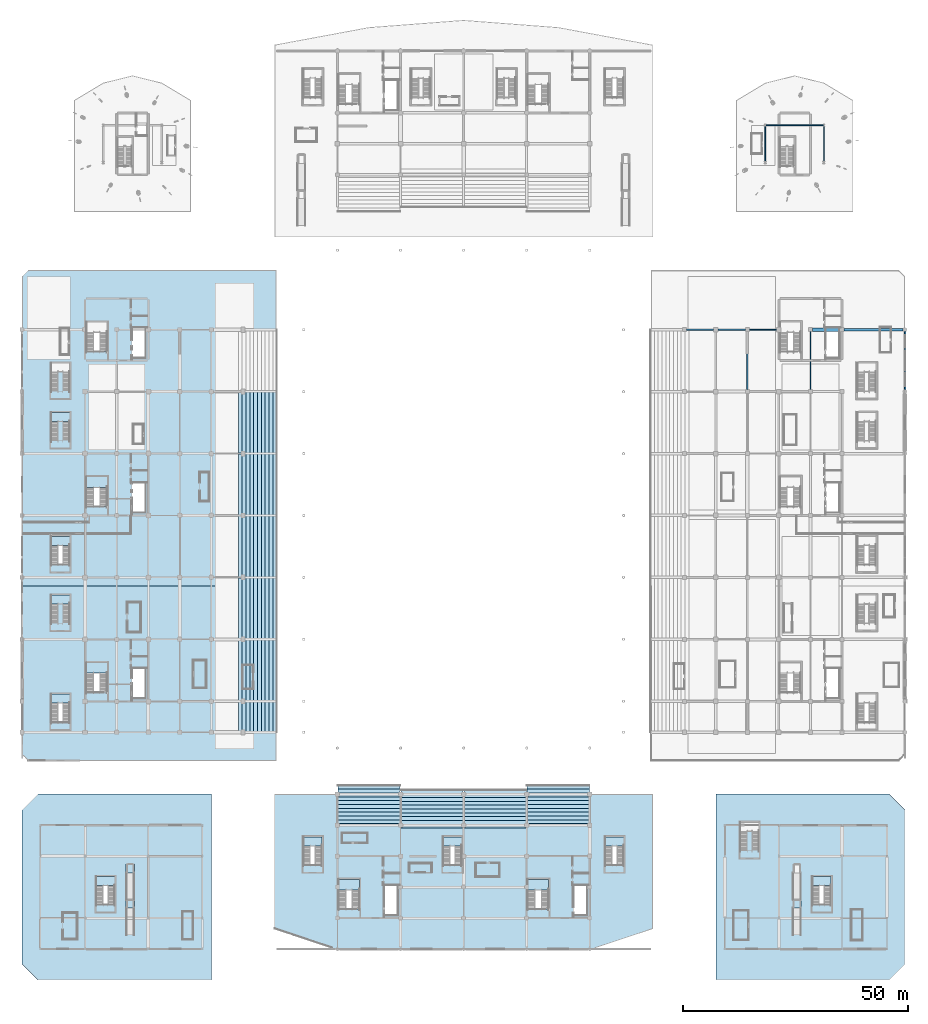
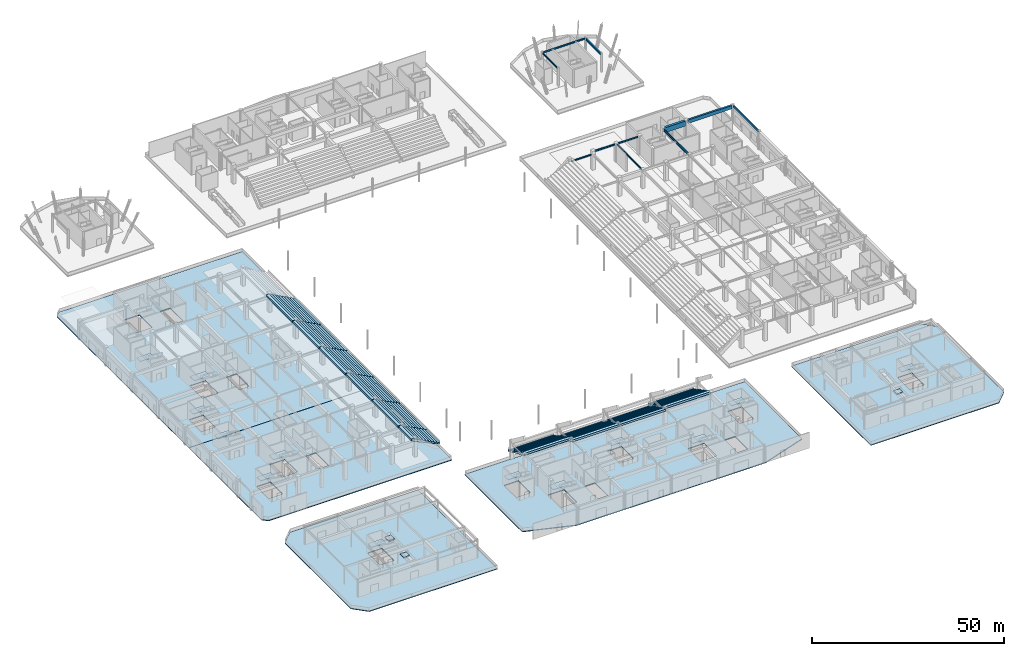
# One storey, part 26 of 73: 31 slabs, 11 beams, 15 elements without a shape of their own.
"""IFC4 building model written with IfcOpenShell, lengths in metres."""

from ifc_helpers import new_model, si_unit, direction, frame, origin, origin_2d, place, context, subcontext, project, spatial, polyline, rectangle, i_section, outline, extrude, material, layer, layer_set, material_profile, profile_set, type_object, element, aggregate, save


model = new_model("IFC4")

# Units and contexts
model_context = context("Model", 3, precision=1e-05, world=origin(), true_north=direction((0.0, 1.0)))
body_context = subcontext(model_context, "Body", "Model", "MODEL_VIEW")
ifc_project = project(units=[si_unit("LENGTHUNIT", "METRE"), si_unit("AREAUNIT", "SQUARE_METRE"), si_unit("VOLUMEUNIT", "CUBIC_METRE"), si_unit("PLANEANGLEUNIT", "RADIAN"), si_unit("MASSUNIT", "GRAM", prefix="KILO")], contexts=[model_context])

# Site, building, storey
site_placement = place(None, origin())
site = spatial("IfcSite", under=ifc_project, at=site_placement, CompositionType="ELEMENT")
building_placement = place(site_placement, origin())
building = spatial("IfcBuilding", under=site, at=building_placement, Name="Linyun Crest Stadium", CompositionType="ELEMENT")
storey_placement = place(building_placement, origin())
storey = spatial("IfcBuildingStorey", under=building, at=storey_placement, Name="L01", CompositionType="ELEMENT", Elevation=0.0)

# Beams
ifc_material_1 = material(Name="Concrete C40", Category="concrete")
ifc_material_profile_1 = material_profile(ifc_material_1, rectangle(XDim=0.35009765625, YDim=0.64990234375, at=origin_2d()), Name="RCB 650x350")
ifc_profile_set_1 = profile_set([ifc_material_profile_1], Name="Concrete C40")
beam_type_1 = type_object("IfcBeamType", Name="B02", PredefinedType="BEAM", material=ifc_profile_set_1)
beam_1_placement = place(storey_placement, frame((98.0, 30.074951171875, 5.425048828125), z_axis=(0.0, 1.0, 0.0), x_axis=(-1.0, 0.0, 0.0)))
element("IfcBeam", 1, at=beam_1_placement, inside=storey, type_object=beam_type_1, Name="Frame beam B02 L01 547", PredefinedType="BEAM", context=body_context, shape_type="SweptSolid", body=[
    extrude(rectangle(XDim=0.35009765625, YDim=0.64990234375, at=origin_2d()), origin(), (0.0, 0.0, 1.0), 12.85009765625),
])
ifc_material_2 = material(Name="Steel Q355C", Category="steel")
ifc_material_profile_2 = material_profile(ifc_material_2, i_section(OverallWidth=0.300048828125, OverallDepth=0.389892578125, WebThickness=0.010009765625, FlangeThickness=0.01611328125, at=origin_2d()), Name="HM 390x300")
ifc_profile_set_2 = profile_set([ifc_material_profile_2], Name="Steel Q355C")
beam_type_2 = type_object("IfcBeamType", Name="B06", PredefinedType="BEAM", material=ifc_profile_set_2)
beam_2_placement = place(storey_placement, frame((49.449951171875, 43.375, 4.705078125), z_axis=(1.0, 0.0, 0.0), x_axis=(0.0, 1.0, 0.0)))
element("IfcBeam", 2, at=beam_2_placement, inside=storey, type_object=beam_type_2, Name="Frame beam B06 L01 507", PredefinedType="BEAM", context=body_context, shape_type="SweptSolid", body=[
    extrude(i_section(OverallWidth=0.300048828125, OverallDepth=0.389892578125, WebThickness=0.010009765625, FlangeThickness=0.01611328125, at=origin_2d()), origin(), (0.0, 0.0, 1.0), 6.050048828125),
])
ifc_material_3 = material(Name="Steel Q355C", Category="steel")
ifc_material_profile_3 = material_profile(ifc_material_3, i_section(OverallWidth=0.300048828125, OverallDepth=0.43994140625, WebThickness=0.010986328125, FlangeThickness=0.01806640625, at=origin_2d()), Name="HM 440x300")
ifc_profile_set_3 = profile_set([ifc_material_profile_3], Name="Steel Q355C")
beam_type_3 = type_object("IfcBeamType", Name="B07", PredefinedType="BEAM", material=ifc_profile_set_3)
beam_3_placement = place(storey_placement, frame((63.0, 30.074951171875, 5.530029296875), z_axis=(0.0, 1.0, 0.0), x_axis=(-1.0, 0.0, 0.0)))
element("IfcBeam", 3, at=beam_3_placement, inside=storey, type_object=beam_type_3, Name="Frame beam B07 L01 525", PredefinedType="BEAM", context=body_context, shape_type="SweptSolid", body=[
    extrude(i_section(OverallWidth=0.300048828125, OverallDepth=0.43994140625, WebThickness=0.010986328125, FlangeThickness=0.01806640625, at=origin_2d()), origin(), (0.0, 0.0, 1.0), 12.85009765625),
])
ifc_material_4 = material(Name="Steel Q355C", Category="steel")
ifc_material_profile_4 = material_profile(ifc_material_4, i_section(OverallWidth=0.300048828125, OverallDepth=0.488037109375, WebThickness=0.010986328125, FlangeThickness=0.01806640625, at=origin_2d()), Name="HM 488x300")
ifc_profile_set_4 = profile_set([ifc_material_profile_4], Name="Steel Q355C")
beam_type_4 = type_object("IfcBeamType", Name="B08", PredefinedType="BEAM", material=ifc_profile_set_4)
beam_4_placement = place(storey_placement, frame((56.5, 43.375, 5.506103515625), z_axis=(1.0, 0.0, 0.0), x_axis=(0.0, 1.0, 0.0)))
element("IfcBeam", 4, at=beam_4_placement, inside=storey, type_object=beam_type_4, Name="Frame beam B08 L01 508", PredefinedType="BEAM", context=body_context, shape_type="SweptSolid", body=[
    extrude(i_section(OverallWidth=0.300048828125, OverallDepth=0.488037109375, WebThickness=0.010986328125, FlangeThickness=0.01806640625, at=origin_2d()), origin(), (0.0, 0.0, 1.0), 6.050048828125),
])
ifc_material_5 = material(Name="Steel Q355C", Category="steel")
ifc_material_profile_5 = material_profile(ifc_material_5, i_section(OverallWidth=0.199951171875, OverallDepth=0.5, WebThickness=0.010009765625, FlangeThickness=0.01611328125, at=origin_2d()), Name="HN 500x200")
ifc_profile_set_5 = profile_set([ifc_material_profile_5], Name="Steel Q355C")
beam_type_5 = type_object("IfcBeamType", Name="B10", PredefinedType="BEAM", material=ifc_profile_set_5)
beam_5_placement = place(storey_placement, frame((63.449951171875, 43.375, 5.5), z_axis=(1.0, 0.0, 0.0), x_axis=(0.0, 1.0, 0.0)))
element("IfcBeam", 5, at=beam_5_placement, inside=storey, type_object=beam_type_5, Name="Frame beam B10 L01 509", PredefinedType="BEAM", context=body_context, shape_type="SweptSolid", body=[
    extrude(i_section(OverallWidth=0.199951171875, OverallDepth=0.5, WebThickness=0.010009765625, FlangeThickness=0.01611328125, at=origin_2d()), origin(), (0.0, 0.0, 1.0), 6.050048828125),
])
beam_6_placement = place(storey_placement, frame((67.2041015625, 88.75, 5.530029296875), z_axis=(1.0, 0.0, 0.0), x_axis=(0.0, 1.0, 0.0)))
element("IfcBeam", 6, at=beam_6_placement, inside=storey, type_object=beam_type_5, Name="Frame beam B10 L01 954", PredefinedType="BEAM", context=body_context, shape_type="SweptSolid", body=[
    extrude(i_section(OverallWidth=0.199951171875, OverallDepth=0.5, WebThickness=0.010009765625, FlangeThickness=0.01611328125, at=origin_2d()), origin(), (0.0, 0.0, 1.0), 12.591796875),
])
ifc_material_6 = material(Name="Steel Q355C", Category="steel")
ifc_material_profile_6 = material_profile(ifc_material_6, i_section(OverallWidth=0.199951171875, OverallDepth=0.60009765625, WebThickness=0.010986328125, FlangeThickness=0.01708984375, at=origin_2d()), Name="HN 600x200")
ifc_profile_set_6 = profile_set([ifc_material_profile_6], Name="Steel Q355C")
beam_type_6 = type_object("IfcBeamType", Name="B11", PredefinedType="BEAM", material=ifc_profile_set_6)
beam_7_placement = place(storey_placement, frame((67.0, 80.7490234375, 5.47998046875), z_axis=(0.0, 1.0, 0.0), x_axis=(-1.0, 0.0, 0.0)))
element("IfcBeam", 7, at=beam_7_placement, inside=storey, type_object=beam_type_6, Name="Frame beam B11 L01 957", PredefinedType="BEAM", context=body_context, shape_type="SweptSolid", body=[
    extrude(i_section(OverallWidth=0.199951171875, OverallDepth=0.60009765625, WebThickness=0.010986328125, FlangeThickness=0.01708984375, at=origin_2d()), origin(), (0.0, 0.0, 1.0), 7.786865234375),
])
ifc_material_7 = material(Name="Steel Q355C", Category="steel")
ifc_material_profile_7 = material_profile(ifc_material_7, i_section(OverallWidth=0.300048828125, OverallDepth=0.699951171875, WebThickness=0.012939453125, FlangeThickness=0.02392578125, at=origin_2d()), Name="HN 700x300")
ifc_profile_set_7 = profile_set([ifc_material_profile_7], Name="Steel Q355C")
beam_type_7 = type_object("IfcBeamType", Name="B12", PredefinedType="BEAM", material=ifc_profile_set_7)
beam_8_placement = place(storey_placement, frame((77.0, 30.074951171875, 5.39990234375), z_axis=(0.0, 1.0, 0.0), x_axis=(-1.0, 0.0, 0.0)))
element("IfcBeam", 8, at=beam_8_placement, inside=storey, type_object=beam_type_7, Name="Frame beam B12 L01 536", PredefinedType="BEAM", context=body_context, shape_type="SweptSolid", body=[
    extrude(i_section(OverallWidth=0.300048828125, OverallDepth=0.699951171875, WebThickness=0.012939453125, FlangeThickness=0.02392578125, at=origin_2d()), origin(), (0.0, 0.0, 1.0), 12.85009765625),
])
beam_9_placement = place(storey_placement, frame((80.0, 80.7490234375, 5.429931640625), z_axis=(0.0, 1.0, 0.0), x_axis=(-1.0, 0.0, 0.0)))
element("IfcBeam", 9, at=beam_9_placement, inside=storey, type_object=beam_type_7, Name="Frame beam B12 L01 958", PredefinedType="BEAM", context=body_context, shape_type="SweptSolid", body=[
    extrude(i_section(OverallWidth=0.300048828125, OverallDepth=0.699951171875, WebThickness=0.012939453125, FlangeThickness=0.02392578125, at=origin_2d()), origin(), (0.0, 0.0, 1.0), 7.786865234375),
])
ifc_material_8 = material(Name="Concrete C50", Category="concrete")
ifc_material_profile_8 = material_profile(ifc_material_8, rectangle(XDim=0.699951171875, YDim=1.60009765625, at=origin_2d()), Name="RCB 1600x700")
ifc_profile_set_8 = profile_set([ifc_material_profile_8], Name="Concrete C50")
beam_type_8 = type_object("IfcBeamType", Name="B13", PredefinedType="BEAM", material=ifc_profile_set_8)
beam_10_placement = place(storey_placement, frame((77.449951171875, 43.375, 4.949951171875), z_axis=(1.0, 0.0, 0.0), x_axis=(0.0, 1.0, 0.0)))
element("IfcBeam", 10, at=beam_10_placement, inside=storey, type_object=beam_type_8, Name="Frame beam B13 L01 510", PredefinedType="BEAM", context=body_context, shape_type="SweptSolid", body=[
    extrude(rectangle(XDim=0.699951171875, YDim=1.60009765625, at=origin_2d()), origin(), (0.0, 0.0, 1.0), 6.10009765625),
])
ifc_material_9 = material(Name="Concrete C50", Category="concrete")
ifc_material_profile_9 = material_profile(ifc_material_9, rectangle(XDim=0.550048828125, YDim=1.10009765625, at=origin_2d()), Name="RCB 1100x550")
ifc_profile_set_9 = profile_set([ifc_material_profile_9], Name="Concrete C50")
beam_type_9 = type_object("IfcBeamType", Name="TB01", PredefinedType="USERDEFINED", material=ifc_profile_set_9)
beam_11_placement = place(storey_placement, frame((84.449951171875, 43.375, 5.199951171875), z_axis=(1.0, 0.0, 0.0), x_axis=(0.0, 1.0, 0.0)))
element("IfcBeam", 11, at=beam_11_placement, inside=storey, type_object=beam_type_9, Name="Frame beam TB01 L01 511", ObjectType="GIRDER", PredefinedType="USERDEFINED", context=body_context, shape_type="SweptSolid", body=[
    extrude(rectangle(XDim=0.550048828125, YDim=1.10009765625, at=origin_2d()), origin(), (0.0, 0.0, 1.0), 13.10009765625),
])

# Slabs
ifc_material_10 = material(Name="Concrete C40", Category="concrete")
ifc_layer_1 = layer(ifc_material_10, 0.219970703125)
ifc_layer_set_1 = layer_set([ifc_layer_1], Name="Concrete C40")
slab_type_1 = type_object("IfcSlabType", Name="FS03", PredefinedType="FLOOR", material=ifc_layer_set_1)
slab_1_placement = place(storey_placement, frame((0.0, 0.0, -0.219970703125)))
element("IfcSlab", 12, at=slab_1_placement, inside=storey, type_object=slab_type_1, Name="Slab FS03 V6 L01 63", PredefinedType="FLOOR", context=body_context, shape_type="SweptSolid", body=[
    extrude(outline(polyline([(-94.5, -101.0), (-56.0, -101.0), (-56.0, -59.75), (-94.5, -59.75), (-98.0, -63.25), (-98.0, -97.5), (-94.5, -101.0)]), holes=[polyline([(-81.60009765625, -84.25), (-81.60009765625, -78.0), (-77.39990234375, -78.0), (-77.39990234375, -84.25), (-81.60009765625, -84.25)])]), origin(), (0.0, 0.0, 1.0), 0.219970703125),
])
slab_2_placement = place(storey_placement, frame((0.0, 0.0, -0.219970703125)))
element("IfcSlab", 13, at=slab_2_placement, inside=storey, type_object=slab_type_1, Name="Slab FS03 V6 L01 73", PredefinedType="FLOOR", context=body_context, shape_type="SweptSolid", body=[
    extrude(outline(polyline([(56.0, -101.0), (94.5, -101.0), (98.0, -97.5), (98.0, -63.25), (94.5, -59.75), (56.0, -59.75), (56.0, -101.0)]), holes=[polyline([(77.39990234375, -84.25), (77.39990234375, -78.0), (81.60009765625, -78.0), (81.60009765625, -84.25), (77.39990234375, -84.25)])]), origin(), (0.0, 0.0, 1.0), 0.219970703125),
])
ifc_material_11 = material(Name="Concrete C40", Category="concrete")
ifc_layer_2 = layer(ifc_material_11, 0.25)
ifc_layer_set_2 = layer_set([ifc_layer_2], Name="Concrete C40")
slab_type_2 = type_object("IfcSlabType", Name="FS04", PredefinedType="FLOOR", material=ifc_layer_set_2)
slab_3_placement = place(storey_placement, frame((0.0, 0.0, -0.25)))
element("IfcSlab", 14, at=slab_3_placement, inside=storey, type_object=slab_type_2, Name="Slab FS04 V1 L01 2", PredefinedType="FLOOR", context=body_context, shape_type="SweptSolid", body=[
    extrude(outline(polyline([(-96.60009765625, -52.3349609375), (-41.60009765625, -52.3349609375), (-41.60009765625, -13.510009765625), (-98.0, -13.510009765625), (-98.0, -50.93505859375), (-96.60009765625, -52.3349609375)]), holes=[polyline([(-83.824951171875, -37.10498046875), (-83.824951171875, -30.52490234375), (-79.10009765625, -30.52490234375), (-79.10009765625, -37.10498046875), (-83.824951171875, -37.10498046875)]), polyline([(-73.60009765625, -38.47509765625), (-73.60009765625, -31.875), (-70.60009765625, -31.875), (-70.60009765625, -38.47509765625), (-73.60009765625, -38.47509765625)]), polyline([(-91.60009765625, -43.75), (-91.60009765625, -37.5), (-87.39990234375, -37.5), (-87.39990234375, -43.75), (-91.60009765625, -43.75)])]), origin(), (0.0, 0.0, 1.0), 0.25),
])
slab_4_placement = place(storey_placement, frame((0.0, 0.0, -0.25)))
element("IfcSlab", 15, at=slab_4_placement, inside=storey, type_object=slab_type_2, Name="Slab FS04 V1 L01 3", PredefinedType="FLOOR", context=body_context, shape_type="SweptSolid", body=[
    extrude(outline(polyline([(-98.0, -13.489990234375), (-41.60009765625, -13.489990234375), (-41.60009765625, 56.5849609375), (-96.60009765625, 56.5849609375), (-98.0, 55.18505859375), (-98.0, -13.489990234375)]), holes=[polyline([(-83.800048828125, 4.14501953125), (-83.800048828125, 10.72509765625), (-79.10009765625, 10.72509765625), (-79.10009765625, 4.14501953125), (-83.800048828125, 4.14501953125)]), polyline([(-73.60009765625, 2.77490234375), (-73.60009765625, 9.375), (-70.60009765625, 9.375), (-70.60009765625, 2.77490234375), (-73.60009765625, 2.77490234375)]), polyline([(-83.77490234375, 38.52001953125), (-83.77490234375, 45.10009765625), (-79.10009765625, 45.10009765625), (-79.10009765625, 38.52001953125), (-83.77490234375, 38.52001953125)]), polyline([(-73.60009765625, 37.14990234375), (-73.60009765625, 43.75), (-70.60009765625, 43.75), (-70.60009765625, 37.14990234375), (-73.60009765625, 37.14990234375)]), polyline([(-91.60009765625, -8.75), (-91.60009765625, -2.5), (-87.39990234375, -2.5), (-87.39990234375, -8.75), (-91.60009765625, -8.75)])]), origin(), (0.0, 0.0, 1.0), 0.25),
])
slab_5_placement = place(storey_placement, frame((0.0, 0.0, -0.25)))
element("IfcSlab", 16, at=slab_5_placement, inside=storey, type_object=slab_type_2, Name="Slab FS04 V4 L01 39", PredefinedType="FLOOR", context=body_context, shape_type="SweptSolid", body=[
    extrude(outline(polyline([(-42.0, -89.625), (-28.5, -94.125), (28.5, -94.125), (42.0, -89.625), (42.0, -59.75), (-42.0, -59.75), (-42.0, -89.625)]), holes=[polyline([(-27.77490234375, -85.22998046875), (-27.77490234375, -78.64990234375), (-23.10009765625, -78.64990234375), (-23.10009765625, -85.22998046875), (-27.77490234375, -85.22998046875)]), polyline([(-17.60009765625, -86.60009765625), (-17.60009765625, -80.0), (-14.60009765625, -80.0), (-14.60009765625, -86.60009765625), (-17.60009765625, -86.60009765625)]), polyline([(14.175048828125, -85.22998046875), (14.175048828125, -78.64990234375), (18.89990234375, -78.64990234375), (18.89990234375, -85.22998046875), (14.175048828125, -85.22998046875)]), polyline([(24.39990234375, -86.60009765625), (24.39990234375, -80.0), (27.39990234375, -80.0), (27.39990234375, -86.60009765625), (24.39990234375, -86.60009765625)]), polyline([(-35.60009765625, -75.449951171875), (-35.60009765625, -69.199951171875), (-31.39990234375, -69.199951171875), (-31.39990234375, -75.449951171875), (-35.60009765625, -75.449951171875)]), polyline([(-4.60009765625, -75.449951171875), (-4.60009765625, -69.199951171875), (-0.39990234375, -69.199951171875), (-0.39990234375, -75.449951171875), (-4.60009765625, -75.449951171875)]), polyline([(31.39990234375, -75.449951171875), (31.39990234375, -69.199951171875), (35.60009765625, -69.199951171875), (35.60009765625, -75.449951171875), (31.39990234375, -75.449951171875)])]), origin(), (0.0, 0.0, 1.0), 0.25),
])

# Stair, slab
ifc_material_12 = material(Name="Concrete C40", Category="concrete")
stair_type = type_object("IfcStairType", Name="STA01", PredefinedType="HALF_TURN_STAIR", material=ifc_material_12)
stair_1_placement = place(storey_placement, origin())
stair_1 = element("IfcStair", 17, at=stair_1_placement, inside=storey, type_object=stair_type, Name="Evacuation stair STR-01-L01", PredefinedType="HALF_TURN_STAIR")
ifc_material_13 = material(Name="Concrete C40", Category="concrete")
ifc_layer_3 = layer(ifc_material_13, 0.179931640625)
ifc_layer_set_3 = layer_set([ifc_layer_3], Name="Concrete C40")
slab_type_3 = type_object("IfcSlabType", Name="LS01", PredefinedType="LANDING", material=ifc_layer_set_3)
slab_6_placement = place(storey_placement, frame((0.0, 0.0, 2.820068359375)))
slab_6 = element("IfcSlab", 18, at=slab_6_placement, type_object=slab_type_3, Name="STR-01-L01 half-landing", PredefinedType="LANDING", context=body_context, shape_type="SweptSolid", body=[
    extrude(outline(polyline([(-83.824951171875, -32.885009765625), (-79.10009765625, -32.885009765625), (-79.10009765625, -30.52490234375), (-83.824951171875, -30.52490234375), (-83.824951171875, -32.885009765625)])), origin(), (0.0, 0.0, 1.0), 0.179931640625),
])
aggregate(stair_1, [slab_6])

stair_2_placement = place(storey_placement, origin())
stair_2 = element("IfcStair", 19, at=stair_2_placement, inside=storey, type_object=stair_type, Name="Evacuation stair STR-02-L01", PredefinedType="HALF_TURN_STAIR")
slab_7_placement = place(storey_placement, frame((0.0, 0.0, 2.820068359375)))
slab_7 = element("IfcSlab", 20, at=slab_7_placement, type_object=slab_type_3, Name="STR-02-L01 half-landing", PredefinedType="LANDING", context=body_context, shape_type="SweptSolid", body=[
    extrude(outline(polyline([(-83.800048828125, 8.364990234375), (-79.10009765625, 8.364990234375), (-79.10009765625, 10.72509765625), (-83.800048828125, 10.72509765625), (-83.800048828125, 8.364990234375)])), origin(), (0.0, 0.0, 1.0), 0.179931640625),
])
aggregate(stair_2, [slab_7])

stair_3_placement = place(storey_placement, origin())
stair_3 = element("IfcStair", 21, at=stair_3_placement, inside=storey, type_object=stair_type, Name="Evacuation stair STR-09-L01", PredefinedType="HALF_TURN_STAIR")
slab_8_placement = place(storey_placement, frame((0.0, 0.0, 2.820068359375)))
slab_8 = element("IfcSlab", 22, at=slab_8_placement, type_object=slab_type_3, Name="STR-09-L01 half-landing", PredefinedType="LANDING", context=body_context, shape_type="SweptSolid", body=[
    extrude(outline(polyline([(-27.77490234375, -81.010009765625), (-23.10009765625, -81.010009765625), (-23.10009765625, -78.64990234375), (-27.77490234375, -78.64990234375), (-27.77490234375, -81.010009765625)])), origin(), (0.0, 0.0, 1.0), 0.179931640625),
])
aggregate(stair_3, [slab_8])

stair_4_placement = place(storey_placement, origin())
stair_4 = element("IfcStair", 23, at=stair_4_placement, inside=storey, type_object=stair_type, Name="Evacuation stair STR-10-L01", PredefinedType="HALF_TURN_STAIR")
slab_9_placement = place(storey_placement, frame((0.0, 0.0, 2.820068359375)))
slab_9 = element("IfcSlab", 24, at=slab_9_placement, type_object=slab_type_3, Name="STR-10-L01 half-landing", PredefinedType="LANDING", context=body_context, shape_type="SweptSolid", body=[
    extrude(outline(polyline([(14.175048828125, -81.010009765625), (18.89990234375, -81.010009765625), (18.89990234375, -78.64990234375), (14.175048828125, -78.64990234375), (14.175048828125, -81.010009765625)])), origin(), (0.0, 0.0, 1.0), 0.179931640625),
])
aggregate(stair_4, [slab_9])

stair_5_placement = place(storey_placement, origin())
stair_5 = element("IfcStair", 25, at=stair_5_placement, inside=storey, type_object=stair_type, Name="Vomitory evacuation stair STR-13-L01", PredefinedType="HALF_TURN_STAIR")
slab_10_placement = place(storey_placement, frame((0.0, 0.0, 2.820068359375)))
slab_10 = element("IfcSlab", 26, at=slab_10_placement, type_object=slab_type_3, Name="STR-13-L01 half-landing", PredefinedType="LANDING", context=body_context, shape_type="SweptSolid", body=[
    extrude(outline(polyline([(-91.60009765625, -39.530029296875), (-87.39990234375, -39.530029296875), (-87.39990234375, -37.5), (-91.60009765625, -37.5), (-91.60009765625, -39.530029296875)])), origin(), (0.0, 0.0, 1.0), 0.179931640625),
])
aggregate(stair_5, [slab_10])

stair_6_placement = place(storey_placement, origin())
stair_6 = element("IfcStair", 27, at=stair_6_placement, inside=storey, type_object=stair_type, Name="Vomitory evacuation stair STR-14-L01", PredefinedType="HALF_TURN_STAIR")
slab_11_placement = place(storey_placement, frame((0.0, 0.0, 2.820068359375)))
slab_11 = element("IfcSlab", 28, at=slab_11_placement, type_object=slab_type_3, Name="STR-14-L01 half-landing", PredefinedType="LANDING", context=body_context, shape_type="SweptSolid", body=[
    extrude(outline(polyline([(-91.60009765625, -17.530029296875), (-87.39990234375, -17.530029296875), (-87.39990234375, -15.5), (-91.60009765625, -15.5), (-91.60009765625, -17.530029296875)])), origin(), (0.0, 0.0, 1.0), 0.179931640625),
])
aggregate(stair_6, [slab_11])

stair_7_placement = place(storey_placement, origin())
stair_7 = element("IfcStair", 29, at=stair_7_placement, inside=storey, type_object=stair_type, Name="Vomitory evacuation stair STR-15-L01", PredefinedType="HALF_TURN_STAIR")
slab_12_placement = place(storey_placement, frame((0.0, 0.0, 2.820068359375)))
slab_12 = element("IfcSlab", 30, at=slab_12_placement, type_object=slab_type_3, Name="STR-15-L01 half-landing", PredefinedType="LANDING", context=body_context, shape_type="SweptSolid", body=[
    extrude(outline(polyline([(-91.60009765625, -4.530029296875), (-87.39990234375, -4.530029296875), (-87.39990234375, -2.5), (-91.60009765625, -2.5), (-91.60009765625, -4.530029296875)])), origin(), (0.0, 0.0, 1.0), 0.179931640625),
])
aggregate(stair_7, [slab_12])

stair_8_placement = place(storey_placement, origin())
stair_8 = element("IfcStair", 31, at=stair_8_placement, inside=storey, type_object=stair_type, Name="Vomitory evacuation stair STR-16-L01", PredefinedType="HALF_TURN_STAIR")
slab_13_placement = place(storey_placement, frame((0.0, 0.0, 2.820068359375)))
slab_13 = element("IfcSlab", 32, at=slab_13_placement, type_object=slab_type_3, Name="STR-16-L01 half-landing", PredefinedType="LANDING", context=body_context, shape_type="SweptSolid", body=[
    extrude(outline(polyline([(-91.60009765625, 22.969970703125), (-87.39990234375, 22.969970703125), (-87.39990234375, 25.0), (-91.60009765625, 25.0), (-91.60009765625, 22.969970703125)])), origin(), (0.0, 0.0, 1.0), 0.179931640625),
])
aggregate(stair_8, [slab_13])

stair_9_placement = place(storey_placement, origin())
stair_9 = element("IfcStair", 33, at=stair_9_placement, inside=storey, type_object=stair_type, Name="Vomitory evacuation stair STR-27-L01", PredefinedType="HALF_TURN_STAIR")
slab_14_placement = place(storey_placement, frame((0.0, 0.0, 2.820068359375)))
slab_14 = element("IfcSlab", 34, at=slab_14_placement, type_object=slab_type_3, Name="STR-27-L01 half-landing", PredefinedType="LANDING", context=body_context, shape_type="SweptSolid", body=[
    extrude(outline(polyline([(-35.60009765625, -71.22998046875), (-31.39990234375, -71.22998046875), (-31.39990234375, -69.199951171875), (-35.60009765625, -69.199951171875), (-35.60009765625, -71.22998046875)])), origin(), (0.0, 0.0, 1.0), 0.179931640625),
])
aggregate(stair_9, [slab_14])

stair_10_placement = place(storey_placement, origin())
stair_10 = element("IfcStair", 35, at=stair_10_placement, inside=storey, type_object=stair_type, Name="Vomitory evacuation stair STR-28-L01", PredefinedType="HALF_TURN_STAIR")
slab_15_placement = place(storey_placement, frame((0.0, 0.0, 2.820068359375)))
slab_15 = element("IfcSlab", 36, at=slab_15_placement, type_object=slab_type_3, Name="STR-28-L01 half-landing", PredefinedType="LANDING", context=body_context, shape_type="SweptSolid", body=[
    extrude(outline(polyline([(-4.60009765625, -71.22998046875), (-0.39990234375, -71.22998046875), (-0.39990234375, -69.199951171875), (-4.60009765625, -69.199951171875), (-4.60009765625, -71.22998046875)])), origin(), (0.0, 0.0, 1.0), 0.179931640625),
])
aggregate(stair_10, [slab_15])

stair_11_placement = place(storey_placement, origin())
stair_11 = element("IfcStair", 37, at=stair_11_placement, inside=storey, type_object=stair_type, Name="Vomitory evacuation stair STR-29-L01", PredefinedType="HALF_TURN_STAIR")
slab_16_placement = place(storey_placement, frame((0.0, 0.0, 2.820068359375)))
slab_16 = element("IfcSlab", 38, at=slab_16_placement, type_object=slab_type_3, Name="STR-29-L01 half-landing", PredefinedType="LANDING", context=body_context, shape_type="SweptSolid", body=[
    extrude(outline(polyline([(31.39990234375, -71.22998046875), (35.60009765625, -71.22998046875), (35.60009765625, -69.199951171875), (31.39990234375, -69.199951171875), (31.39990234375, -71.22998046875)])), origin(), (0.0, 0.0, 1.0), 0.179931640625),
])
aggregate(stair_11, [slab_16])

stair_12_placement = place(storey_placement, origin())
stair_12 = element("IfcStair", 39, at=stair_12_placement, inside=storey, type_object=stair_type, Name="Vomitory evacuation stair STR-30-L01", PredefinedType="HALF_TURN_STAIR")
slab_17_placement = place(storey_placement, frame((0.0, 0.0, 2.820068359375)))
slab_17 = element("IfcSlab", 40, at=slab_17_placement, type_object=slab_type_3, Name="STR-30-L01 half-landing", PredefinedType="LANDING", context=body_context, shape_type="SweptSolid", body=[
    extrude(outline(polyline([(-81.60009765625, -80.030029296875), (-77.39990234375, -80.030029296875), (-77.39990234375, -78.0), (-81.60009765625, -78.0), (-81.60009765625, -80.030029296875)])), origin(), (0.0, 0.0, 1.0), 0.179931640625),
])
aggregate(stair_12, [slab_17])

stair_13_placement = place(storey_placement, origin())
stair_13 = element("IfcStair", 41, at=stair_13_placement, inside=storey, type_object=stair_type, Name="Vomitory evacuation stair STR-31-L01", PredefinedType="HALF_TURN_STAIR")
slab_18_placement = place(storey_placement, frame((0.0, 0.0, 2.820068359375)))
slab_18 = element("IfcSlab", 42, at=slab_18_placement, type_object=slab_type_3, Name="STR-31-L01 half-landing", PredefinedType="LANDING", context=body_context, shape_type="SweptSolid", body=[
    extrude(outline(polyline([(77.39990234375, -80.030029296875), (81.60009765625, -80.030029296875), (81.60009765625, -78.0), (77.39990234375, -78.0), (77.39990234375, -80.030029296875)])), origin(), (0.0, 0.0, 1.0), 0.179931640625),
])
aggregate(stair_13, [slab_18])

# Ramp, slabs
ifc_material_14 = material(Name="Concrete C40", Category="concrete")
ramp_type = type_object("IfcRampType", Name="RMP01", PredefinedType="HALF_TURN_RAMP", material=ifc_material_14)
ramp_1_placement = place(storey_placement, origin())
ramp_1 = element("IfcRamp", 43, at=ramp_1_placement, inside=storey, type_object=ramp_type, Name="Accessible pedestrian ramp RMP-05", PredefinedType="HALF_TURN_RAMP")
ifc_material_15 = material(Name="Concrete C40", Category="concrete")
ifc_layer_4 = layer(ifc_material_15, 0.199951171875)
ifc_layer_set_4 = layer_set([ifc_layer_4], Name="Concrete C40")
slab_type_4 = type_object("IfcSlabType", Name="LS02", PredefinedType="LANDING", material=ifc_layer_set_4)
slab_19_placement = place(storey_placement, frame((0.0, 0.0, 0.300048828125)))
slab_19 = element("IfcSlab", 44, at=slab_19_placement, type_object=slab_type_4, Name="RMP-05 mid-landing", PredefinedType="LANDING", context=body_context, shape_type="SweptSolid", body=[
    extrude(outline(polyline([(-74.89990234375, -85.0), (-73.10009765625, -85.0), (-73.10009765625, -83.199951171875), (-74.89990234375, -83.199951171875), (-74.89990234375, -85.0)])), origin(), (0.0, 0.0, 1.0), 0.199951171875),
])
slab_20_placement = place(storey_placement, frame((0.0, 0.0, 0.800048828125)))
slab_20 = element("IfcSlab", 45, at=slab_20_placement, type_object=slab_type_4, Name="RMP-05 top-landing", PredefinedType="LANDING", context=body_context, shape_type="SweptSolid", body=[
    extrude(outline(polyline([(-74.89990234375, -77.199951171875), (-73.10009765625, -77.199951171875), (-73.10009765625, -75.199951171875), (-74.89990234375, -75.199951171875), (-74.89990234375, -77.199951171875)])), origin(), (0.0, 0.0, 1.0), 0.199951171875),
])
aggregate(ramp_1, [slab_19, slab_20])

# Ramp, slab
ramp_2_placement = place(storey_placement, origin())
ramp_2 = element("IfcRamp", 46, at=ramp_2_placement, inside=storey, type_object=ramp_type, Name="Accessible pedestrian ramp RMP-06", PredefinedType="HALF_TURN_RAMP")
slab_21_placement = place(storey_placement, frame((0.0, 0.0, 0.300048828125)))
slab_21 = element("IfcSlab", 47, at=slab_21_placement, type_object=slab_type_4, Name="RMP-06 mid-landing", PredefinedType="LANDING", context=body_context, shape_type="SweptSolid", body=[
    extrude(outline(polyline([(73.10009765625, -85.0), (74.89990234375, -85.0), (74.89990234375, -83.199951171875), (73.10009765625, -83.199951171875), (73.10009765625, -85.0)])), origin(), (0.0, 0.0, 1.0), 0.199951171875),
])
aggregate(ramp_2, [slab_21])

# Slabs
ifc_material_16 = material(Name="Precast concrete C50", Category="concrete")
ifc_layer_5 = layer(ifc_material_16, 0.179931640625)
ifc_layer_set_5 = layer_set([ifc_layer_5], Name="Precast concrete C50")
slab_type_5 = type_object("IfcSlabType", Name="ST01", PredefinedType="USERDEFINED", material=ifc_layer_set_5)
slab_22_placement = place(storey_placement, frame((-41.5, -45.919921875, 1.199951171875), z_axis=(0.0, 0.0, 1.0), x_axis=(-1.0, 0.0, 0.0)))
element("IfcSlab", 48, at=slab_22_placement, inside=storey, type_object=slab_type_5, Name="Precast seating tier ST01 V1 1", ObjectType="SEATING TIER", PredefinedType="USERDEFINED", context=body_context, shape_type="SweptSolid", body=[
    extrude(outline(polyline([(0.0, 0.0), (0.0, 0.43994140625), (0.85009765625, 0.43994140625), (0.85009765625, 0.8798828125), (1.699951171875, 0.8798828125), (1.699951171875, 1.320068359375), (2.550048828125, 1.320068359375), (2.550048828125, 1.760009765625), (3.39990234375, 1.760009765625), (3.39990234375, 2.199951171875), (4.25, 2.199951171875), (4.25, 2.639892578125), (5.10009765625, 2.639892578125), (5.10009765625, 3.080078125), (5.949951171875, 3.080078125), (5.949951171875, 3.52001953125), (6.800048828125, 3.52001953125), (6.800048828125, 3.9599609375), (7.64990234375, 3.9599609375), (7.64990234375, 4.39990234375), (8.5, 4.39990234375), (8.5, 3.780029296875), (0.0, -0.179931640625), (0.0, 0.0)])), frame((0.0, 0.0, 0.0), z_axis=(0.0, -1.0, 0.0), x_axis=(1.0, 0.0, 0.0)), (0.0, 0.0, 1.0), 6.71484375),
])
for number, where, z_axis, x_axis, name in (
    (49, (-41.5, -39.044921875, 1.199951171875), (0.0, 0.0, 1.0), (-1.0, 0.0, 0.0), "Precast seating tier ST01 V1 9"),
    (50, (-41.5, -25.294921875, 1.199951171875), (0.0, 0.0, 1.0), (-1.0, 0.0, 0.0), "Precast seating tier ST01 V1 17"),
    (51, (-41.5, -11.544921875, 1.199951171875), (0.0, 0.0, 1.0), (-1.0, 0.0, 0.0), "Precast seating tier ST01 V1 25"),
    (52, (-41.5, 2.205078125, 1.199951171875), (0.0, 0.0, 1.0), (-1.0, 0.0, 0.0), "Precast seating tier ST01 V1 33"),
    (53, (-41.5, 15.955078125, 1.199951171875), (0.0, 0.0, 1.0), (-1.0, 0.0, 0.0), "Precast seating tier ST01 V1 41"),
):
    element("IfcSlab", number, at=place(storey_placement, frame(where, z_axis=z_axis, x_axis=x_axis)), inside=storey, type_object=slab_type_5, Name=name, ObjectType="SEATING TIER", PredefinedType="USERDEFINED", context=body_context, shape_type="SweptSolid", body=[
        extrude(outline(polyline([(0.0, 0.0), (0.0, 0.43994140625), (0.85009765625, 0.43994140625), (0.85009765625, 0.8798828125), (1.699951171875, 0.8798828125), (1.699951171875, 1.320068359375), (2.550048828125, 1.320068359375), (2.550048828125, 1.760009765625), (3.39990234375, 1.760009765625), (3.39990234375, 2.199951171875), (4.25, 2.199951171875), (4.25, 2.639892578125), (5.10009765625, 2.639892578125), (5.10009765625, 3.080078125), (5.949951171875, 3.080078125), (5.949951171875, 3.52001953125), (6.800048828125, 3.52001953125), (6.800048828125, 3.9599609375), (7.64990234375, 3.9599609375), (7.64990234375, 4.39990234375), (8.5, 4.39990234375), (8.5, 3.780029296875), (0.0, -0.179931640625), (0.0, 0.0)])), frame((0.0, 0.0, 0.0), z_axis=(0.0, -1.0, 0.0), x_axis=(1.0, 0.0, 0.0)), (0.0, 0.0, 1.0), 13.58984375),
    ])
for number, where, z_axis, x_axis, name in (
    (54, (-27.919921875, -57.800048828125, 1.25), (0.0, 0.0, 1.0), (0.0, -1.0, 0.0), "Precast seating tier ST01 V4 61"),
    (55, (-13.919921875, -58.800048828125, 1.25), (0.0, 0.0, 1.0), (0.0, -1.0, 0.0), "Precast seating tier ST01 V4 68"),
    (56, (0.080078125, -58.800048828125, 1.25), (0.0, 0.0, 1.0), (0.0, -1.0, 0.0), "Precast seating tier ST01 V4 75"),
    (57, (14.080078125, -57.800048828125, 1.25), (0.0, 0.0, 1.0), (0.0, -1.0, 0.0), "Precast seating tier ST01 V4 82"),
):
    element("IfcSlab", number, at=place(storey_placement, frame(where, z_axis=z_axis, x_axis=x_axis)), inside=storey, type_object=slab_type_5, Name=name, ObjectType="SEATING TIER", PredefinedType="USERDEFINED", context=body_context, shape_type="SweptSolid", body=[
        extrude(outline(polyline([(0.0, 0.0), (0.0, -0.43994140625), (0.85009765625, -0.43994140625), (0.85009765625, -0.8798828125), (1.699951171875, -0.8798828125), (1.699951171875, -1.320068359375), (2.550048828125, -1.320068359375), (2.550048828125, -1.760009765625), (3.39990234375, -1.760009765625), (3.39990234375, -2.199951171875), (4.25, -2.199951171875), (4.25, -2.639892578125), (5.10009765625, -2.639892578125), (5.10009765625, -3.080078125), (5.949951171875, -3.080078125), (5.949951171875, -3.52001953125), (6.800048828125, -3.52001953125), (6.800048828125, -3.9599609375), (7.64990234375, -3.9599609375), (7.64990234375, -4.39990234375), (8.5, -4.39990234375), (8.5, -3.780029296875), (0.0, 0.179931640625), (0.0, 0.0)])), frame((0.0, 0.0, 0.0), z_axis=(0.0, 1.0, 0.0), x_axis=(1.0, 0.0, 0.0)), (0.0, 0.0, 1.0), 13.83984375),
    ])

save(model, "model.ifc")
